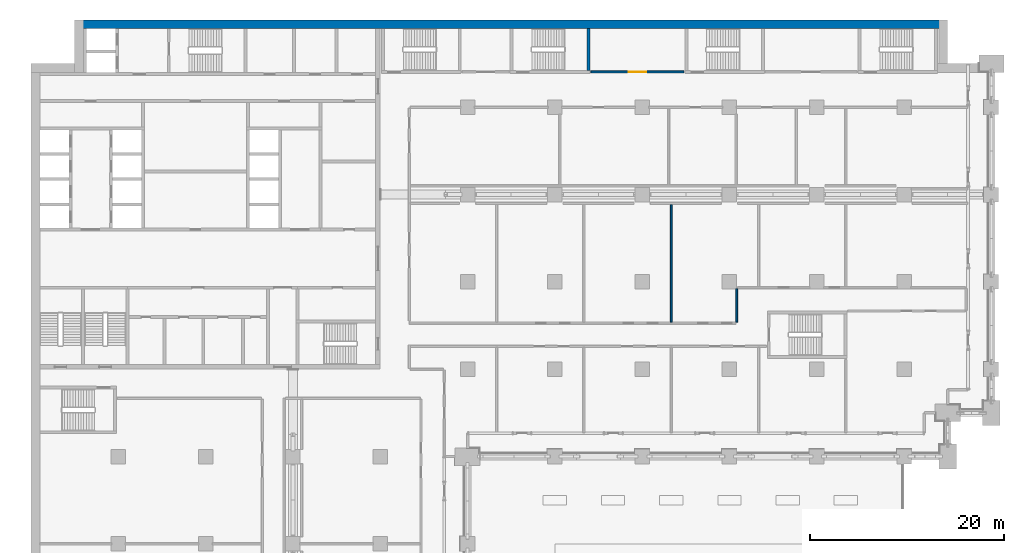
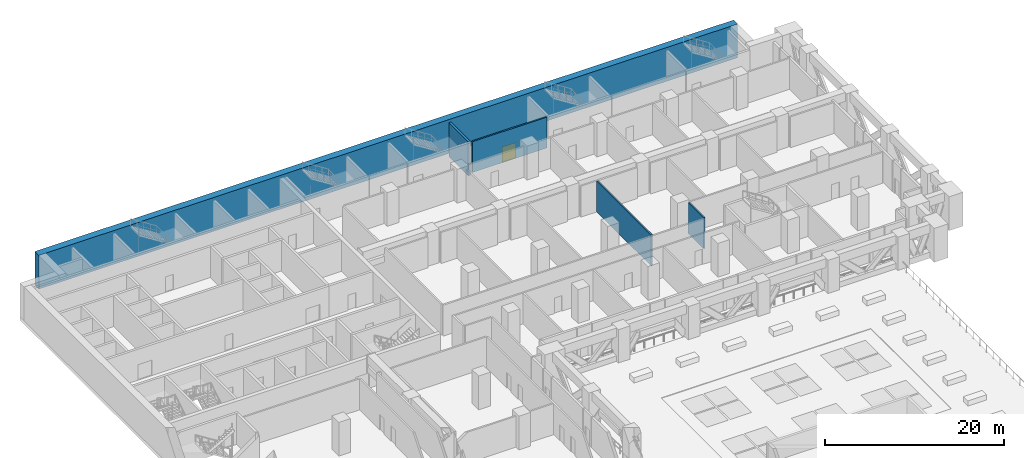
# One storey, part 18 of 31: 5 walls, 1 door, 1 opening.
"""IFC4 building model written with IfcOpenShell, lengths in metres."""

from ifc_helpers import new_model, si_unit, direction, frame, frame_2d, origin, place, context, subcontext, project, spatial, rectangle, extrude, material, layer, layer_set, type_object, element, fill, save


model = new_model("IFC4")

# Units and contexts
model_context = context("Model", 3, precision=1e-05, world=origin(), true_north=direction((0.0, 1.0)))
body_context = subcontext(model_context, "Body", "Model", "MODEL_VIEW")
ifc_project = project(units=[si_unit("LENGTHUNIT", "METRE"), si_unit("AREAUNIT", "SQUARE_METRE"), si_unit("VOLUMEUNIT", "CUBIC_METRE"), si_unit("PLANEANGLEUNIT", "RADIAN"), si_unit("MASSUNIT", "GRAM", prefix="KILO")], contexts=[model_context])

# Site, building, storey
site_placement = place(None, origin())
site = spatial("IfcSite", under=ifc_project, at=site_placement, CompositionType="ELEMENT")
building_placement = place(site_placement, origin())
building = spatial("IfcBuilding", under=site, at=building_placement, Name="Hunhe Ridgeline Campus", CompositionType="ELEMENT")
storey_placement = place(building_placement, frame((0.0, 0.0, 31.199951171875)))
storey = spatial("IfcBuildingStorey", under=building, at=storey_placement, Name="L06", CompositionType="ELEMENT", Elevation=31.199951171875)

# Wall, opening, door
ifc_material_1 = material(Name="Gypsum board partition")
ifc_layer_1 = layer(ifc_material_1, 0.199951171875)
ifc_layer_set_1 = layer_set([ifc_layer_1], Name="Corridor partition 200 gypsum board on steel studs")
wall_type_1 = type_object("IfcWallType", Name="Corridor partition 200 gypsum board on steel studs", PredefinedType="PARTITIONING", material=ifc_layer_set_1)
wall_1_placement = place(storey_placement, frame((57.7041015625, 93.64990234375, 0.0), z_axis=(0.0, 0.0, 1.0), x_axis=(1.0, 0.0, 0.0)))
wall_1 = element("IfcWall", 1, at=wall_1_placement, inside=storey, type_object=wall_type_1, Name="F-L06-wall-052", PredefinedType="PARTITIONING", context=body_context, shape_type="SweptSolid", body=[
    extrude(rectangle(XDim=9.591796875, YDim=0.199951171875, at=frame_2d((4.7958984375, 0.0))), origin(), (0.0, 0.0, 1.0), 4.199951171875),
])
opening_placement = place(wall_1_placement, frame((3.89599609375, 0.0, 0.0)))
opening = element("IfcOpeningElement", 2, at=opening_placement, cuts=wall_1, Name="Opening RD2-046", PredefinedType="OPENING", context=body_context, shape_type="SweptSolid", body=[
    extrude(rectangle(XDim=1.800048828125, YDim=2.10009765625, at=frame_2d((0.89990234375, 1.050048828125))), frame((0.0, 0.10009765625, 0.0), z_axis=(0.0, -1.0, 0.0), x_axis=(1.0, 0.0, 0.0)), (0.0, 0.0, 1.0), 0.199951171875),
])
ifc_material_2 = material(Name="Timber door leaf", Category="wood")
door_type = type_object("IfcDoorType", Name="Double fire door 1800x2100 timber FD60", OperationType="DOUBLE_DOOR_SINGLE_SWING", PredefinedType="DOOR", material=ifc_material_2)
door_placement = place(opening_placement, origin())
door = element("IfcDoor", 3, at=door_placement, inside=storey, type_object=door_type, Name="F-L06-door-046", OperationType="DOUBLE_DOOR_SINGLE_SWING", OverallHeight=2.10009765625, OverallWidth=1.800048828125, PredefinedType="DOOR", context=body_context, shape_type="SweptSolid", body=[
    extrude(rectangle(XDim=1.800048828125, YDim=2.10009765625, at=frame_2d((0.89990234375, 1.050048828125))), frame((0.0, 0.02490234375, 0.0), z_axis=(0.0, -1.0, 0.0), x_axis=(1.0, 0.0, 0.0)), (0.0, 0.0, 1.0), 0.050048828125),
])
fill(opening, door)

# Walls
wall_2_placement = place(storey_placement, frame((66.0, 80.0, 0.0), z_axis=(0.0, 0.0, 1.0), x_axis=(0.0, -1.0, 0.0)))
element("IfcWall", 4, at=wall_2_placement, inside=storey, type_object=wall_type_1, Name="F-L06-wall-080", PredefinedType="PARTITIONING", context=body_context, shape_type="SweptSolid", body=[
    extrude(rectangle(XDim=12.14990234375, YDim=0.199951171875, at=frame_2d((6.074951171875, 0.0))), origin(), (0.0, 0.0, 1.0), 4.199951171875),
])
wall_3_placement = place(storey_placement, frame((72.75, 67.85009765625, 0.0), z_axis=(0.0, 0.0, 1.0), x_axis=(0.0, 1.0, 0.0)))
element("IfcWall", 5, at=wall_3_placement, inside=storey, type_object=wall_type_1, Name="F-L06-wall-082", PredefinedType="PARTITIONING", context=body_context, shape_type="SweptSolid", body=[
    extrude(rectangle(XDim=3.449951171875, YDim=0.199951171875, at=frame_2d((1.72509765625, 0.0))), origin(), (0.0, 0.0, 1.0), 4.199951171875),
])
ifc_material_3 = material(Name="Concrete C80", Category="concrete")
ifc_layer_2 = layer(ifc_material_3, 0.89990234375)
ifc_layer_set_2 = layer_set([ifc_layer_2], Name="Spine wall 900 Concrete C80")
wall_type_2 = type_object("IfcWallType", Name="Spine wall 900 Concrete C80", PredefinedType="SHEAR", material=ifc_layer_set_2)
wall_4_placement = place(storey_placement, frame((94.5, 98.550048828125, 0.0), z_axis=(0.0, 0.0, 1.0), x_axis=(-1.0, 0.0, 0.0)))
element("IfcWall", 6, at=wall_4_placement, inside=storey, type_object=wall_type_2, Name="Spine wall SW1-4 L06", PredefinedType="SHEAR", context=body_context, shape_type="SweptSolid", body=[
    extrude(rectangle(XDim=90.0, YDim=0.89990234375, at=frame_2d((45.0, 0.0))), origin(), (0.0, 0.0, 1.0), 4.60009765625),
])
ifc_layer_3 = layer(ifc_material_3, 0.300048828125)
ifc_layer_set_3 = layer_set([ifc_layer_3], Name="Stair wall 300 reinforced concrete C80")
wall_type_3 = type_object("IfcWallType", Name="Stair wall 300 reinforced concrete C80", PredefinedType="SOLIDWALL", material=ifc_layer_set_3)
wall_5_placement = place(storey_placement, frame((57.449951171875, 93.800048828125, -0.449951171875), z_axis=(0.0, 0.0, 1.0), x_axis=(0.0, 1.0, 0.0)))
element("IfcWall", 7, at=wall_5_placement, inside=storey, type_object=wall_type_3, Name="L06 core wall 68", PredefinedType="SOLIDWALL", context=body_context, shape_type="SweptSolid", body=[
    extrude(rectangle(XDim=4.300048828125, YDim=0.300048828125, at=frame_2d((2.14990234375, 0.0))), origin(), (0.0, 0.0, 1.0), 4.64990234375),
])

save(model, "model.ifc")
